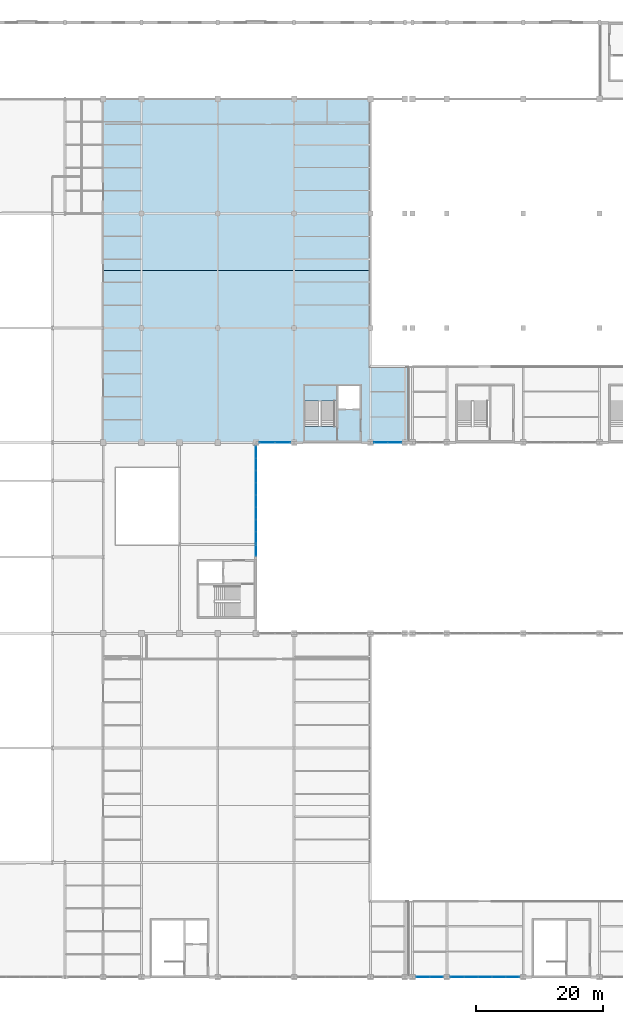
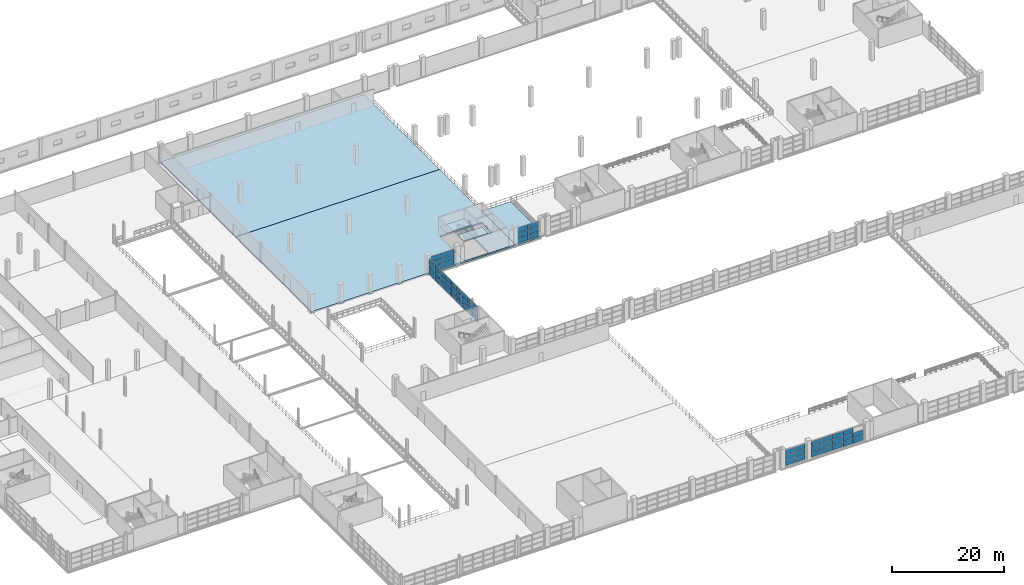
# One storey, part 129 of 158: 59 plates, 5 slabs, 6 elements without a shape of their own.
"""IFC4 building model written with IfcOpenShell, lengths in metres."""

from ifc_helpers import new_model, si_unit, direction, frame, origin, origin_2d, place, context, subcontext, project, spatial, polyline, rectangle, outline, extrude, material, layer, layer_set, type_object, element, aggregate, save


model = new_model("IFC4")

# Units and contexts
model_context = context("Model", 3, precision=1e-05, world=origin(), true_north=direction((0.0, 1.0)))
body_context = subcontext(model_context, "Body", "Model", "MODEL_VIEW")
ifc_project = project(units=[si_unit("LENGTHUNIT", "METRE"), si_unit("AREAUNIT", "SQUARE_METRE"), si_unit("VOLUMEUNIT", "CUBIC_METRE"), si_unit("PLANEANGLEUNIT", "RADIAN"), si_unit("MASSUNIT", "GRAM", prefix="KILO")], contexts=[model_context])

# Site, building, storey
site_placement = place(None, origin())
site = spatial("IfcSite", under=ifc_project, at=site_placement, CompositionType="ELEMENT")
building_placement = place(site_placement, origin())
building = spatial("IfcBuilding", under=site, at=building_placement, Name="Zilviju Railside Exhibition Hall", CompositionType="ELEMENT")
storey_placement = place(building_placement, frame((0.0, 0.0, 4.199951171875)))
storey = spatial("IfcBuildingStorey", under=building, at=storey_placement, Name="L02", CompositionType="ELEMENT", Elevation=4.199951171875)

# Curtain wall, plates
ifc_material_1 = material(Name="Thermally broken aluminium-steel triple-glazed curtain wall", Category="steel")
ifc_layer_1 = layer(ifc_material_1, 0.179931640625)
ifc_layer_set_1 = layer_set([ifc_layer_1], Name="Thermally broken aluminium-steel triple-glazed curtain wall")
curtain_wall_type_1 = type_object("IfcCurtainWallType", Name="CW-BAY-06", PredefinedType="USERDEFINED", material=ifc_layer_set_1)
curtain_wall_1_placement = place(storey_placement, origin())
curtain_wall_1 = element("IfcCurtainWall", 1, at=curtain_wall_1_placement, inside=storey, type_object=curtain_wall_type_1, Name="North Hall Garden Court Curtain Wall L02 (120..125)", ObjectType="GLAZED CURTAIN WALL", PredefinedType="USERDEFINED")
ifc_material_2 = material(Name="Triple-glazed low-E argon insulating glass unit", Category="glass")
ifc_layer_2 = layer(ifc_material_2, 0.0439453125)
ifc_layer_set_2 = layer_set([ifc_layer_2], Name="Triple-glazed low-E argon insulating glass unit")
plate_type_1 = type_object("IfcPlateType", Name="CWP-IGU-44", PredefinedType="CURTAIN_PANEL", material=ifc_layer_set_2)
plate_1_placement = place(storey_placement, frame((123.76123046875, 84.0, 0.05517578125), z_axis=(0.0, 0.0, 1.0), x_axis=(-1.0, 0.0, 0.0)))
plate_1 = element("IfcPlate", 2, at=plate_1_placement, type_object=plate_type_1, Name="CW-06 panel 1.1", PredefinedType="CURTAIN_PANEL", context=body_context, shape_type="SweptSolid", body=[
    extrude(rectangle(XDim=2.0673828125, YDim=0.0439453125, at=origin_2d()), origin(), (0.0, 0.0, 1.0), 1.0673828125),
])
plate_2_placement = place(storey_placement, frame((123.76123046875, 84.0, 1.177734375), z_axis=(0.0, 0.0, 1.0), x_axis=(-1.0, 0.0, 0.0)))
plate_2 = element("IfcPlate", 3, at=plate_2_placement, type_object=plate_type_1, Name="CW-06 panel 1.2", PredefinedType="CURTAIN_PANEL", context=body_context, shape_type="SweptSolid", body=[
    extrude(rectangle(XDim=2.0673828125, YDim=0.0439453125, at=origin_2d()), origin(), (0.0, 0.0, 1.0), 1.094970703125),
])
plate_3_placement = place(storey_placement, frame((123.76123046875, 84.0, 2.32763671875), z_axis=(0.0, 0.0, 1.0), x_axis=(-1.0, 0.0, 0.0)))
plate_3 = element("IfcPlate", 4, at=plate_3_placement, type_object=plate_type_1, Name="CW-06 panel 1.3", PredefinedType="CURTAIN_PANEL", context=body_context, shape_type="SweptSolid", body=[
    extrude(rectangle(XDim=2.0673828125, YDim=0.0439453125, at=origin_2d()), origin(), (0.0, 0.0, 1.0), 1.0673828125),
])
plate_4_placement = place(storey_placement, frame((121.638671875, 84.0, 0.05517578125), z_axis=(0.0, 0.0, 1.0), x_axis=(-1.0, 0.0, 0.0)))
plate_4 = element("IfcPlate", 5, at=plate_4_placement, type_object=plate_type_1, Name="CW-06 panel 2.1", PredefinedType="CURTAIN_PANEL", context=body_context, shape_type="SweptSolid", body=[
    extrude(rectangle(XDim=2.0673828125, YDim=0.0439453125, at=origin_2d()), origin(), (0.0, 0.0, 1.0), 1.0673828125),
])
plate_5_placement = place(storey_placement, frame((121.638671875, 84.0, 1.177734375), z_axis=(0.0, 0.0, 1.0), x_axis=(-1.0, 0.0, 0.0)))
plate_5 = element("IfcPlate", 6, at=plate_5_placement, type_object=plate_type_1, Name="CW-06 panel 2.2", PredefinedType="CURTAIN_PANEL", context=body_context, shape_type="SweptSolid", body=[
    extrude(rectangle(XDim=2.0673828125, YDim=0.0439453125, at=origin_2d()), origin(), (0.0, 0.0, 1.0), 1.094970703125),
])
plate_6_placement = place(storey_placement, frame((121.638671875, 84.0, 2.32763671875), z_axis=(0.0, 0.0, 1.0), x_axis=(-1.0, 0.0, 0.0)))
plate_6 = element("IfcPlate", 7, at=plate_6_placement, type_object=plate_type_1, Name="CW-06 panel 2.3", PredefinedType="CURTAIN_PANEL", context=body_context, shape_type="SweptSolid", body=[
    extrude(rectangle(XDim=2.0673828125, YDim=0.0439453125, at=origin_2d()), origin(), (0.0, 0.0, 1.0), 1.0673828125),
])
aggregate(curtain_wall_1, [plate_1, plate_2, plate_3, plate_4, plate_5, plate_6])

ifc_layer_3 = layer(ifc_material_1, 0.179931640625)
ifc_layer_set_3 = layer_set([ifc_layer_3], Name="Thermally broken aluminium-steel triple-glazed curtain wall")
curtain_wall_type_2 = type_object("IfcCurtainWallType", Name="CW-BAY-10", PredefinedType="USERDEFINED", material=ifc_layer_set_3)
curtain_wall_2_placement = place(storey_placement, origin())
curtain_wall_2 = element("IfcCurtainWall", 8, at=curtain_wall_2_placement, inside=storey, type_object=curtain_wall_type_2, Name="South Hall Facade Curtain Wall L02 (127..132)", ObjectType="GLAZED CURTAIN WALL", PredefinedType="USERDEFINED")
ifc_material_3 = material(Name="Insulated cobalt-blue enamelled spandrel glass panel", Category="glass")
ifc_layer_4 = layer(ifc_material_3, 0.052001953125)
ifc_layer_set_4 = layer_set([ifc_layer_4], Name="Insulated cobalt-blue enamelled spandrel glass panel")
plate_type_2 = type_object("IfcPlateType", Name="CWP-SPD-52", PredefinedType="CURTAIN_PANEL", material=ifc_layer_set_4)
plate_7_placement = place(storey_placement, frame((130.35498046875, 0.0, 0.080078125), z_axis=(0.0, 0.0, 1.0), x_axis=(-1.0, 0.0, 0.0)))
plate_7 = element("IfcPlate", 9, at=plate_7_placement, type_object=plate_type_2, Name="CW-10 panel 1.1", PredefinedType="CURTAIN_PANEL", context=body_context, shape_type="SweptSolid", body=[
    extrude(rectangle(XDim=2.030029296875, YDim=0.052001953125, at=origin_2d()), origin(), (0.0, 0.0, 1.0), 1.06689453125),
])
plate_8_placement = place(storey_placement, frame((130.35498046875, 0.0, 1.22705078125), z_axis=(0.0, 0.0, 1.0), x_axis=(-1.0, 0.0, 0.0)))
plate_8 = element("IfcPlate", 10, at=plate_8_placement, type_object=plate_type_2, Name="CW-10 panel 1.2", PredefinedType="CURTAIN_PANEL", context=body_context, shape_type="SweptSolid", body=[
    extrude(rectangle(XDim=2.030029296875, YDim=0.052001953125, at=origin_2d()), origin(), (0.0, 0.0, 1.0), 1.10595703125),
])
plate_9_placement = place(storey_placement, frame((130.35498046875, 0.0, 2.4130859375), z_axis=(0.0, 0.0, 1.0), x_axis=(-1.0, 0.0, 0.0)))
plate_9 = element("IfcPlate", 11, at=plate_9_placement, type_object=plate_type_2, Name="CW-10 panel 1.3", PredefinedType="CURTAIN_PANEL", context=body_context, shape_type="SweptSolid", body=[
    extrude(rectangle(XDim=2.030029296875, YDim=0.052001953125, at=origin_2d()), origin(), (0.0, 0.0, 1.0), 1.06689453125),
])
plate_10_placement = place(storey_placement, frame((128.2451171875, 0.0, 0.080078125), z_axis=(0.0, 0.0, 1.0), x_axis=(-1.0, 0.0, 0.0)))
plate_10 = element("IfcPlate", 12, at=plate_10_placement, type_object=plate_type_2, Name="CW-10 panel 2.1", PredefinedType="CURTAIN_PANEL", context=body_context, shape_type="SweptSolid", body=[
    extrude(rectangle(XDim=2.030029296875, YDim=0.052001953125, at=origin_2d()), origin(), (0.0, 0.0, 1.0), 1.06689453125),
])
plate_11_placement = place(storey_placement, frame((128.2451171875, 0.0, 1.22705078125), z_axis=(0.0, 0.0, 1.0), x_axis=(-1.0, 0.0, 0.0)))
plate_11 = element("IfcPlate", 13, at=plate_11_placement, type_object=plate_type_2, Name="CW-10 panel 2.2", PredefinedType="CURTAIN_PANEL", context=body_context, shape_type="SweptSolid", body=[
    extrude(rectangle(XDim=2.030029296875, YDim=0.052001953125, at=origin_2d()), origin(), (0.0, 0.0, 1.0), 1.10595703125),
])
plate_12_placement = place(storey_placement, frame((128.2451171875, 0.0, 2.4130859375), z_axis=(0.0, 0.0, 1.0), x_axis=(-1.0, 0.0, 0.0)))
plate_12 = element("IfcPlate", 14, at=plate_12_placement, type_object=plate_type_2, Name="CW-10 panel 2.3", PredefinedType="CURTAIN_PANEL", context=body_context, shape_type="SweptSolid", body=[
    extrude(rectangle(XDim=2.030029296875, YDim=0.052001953125, at=origin_2d()), origin(), (0.0, 0.0, 1.0), 1.06689453125),
])
aggregate(curtain_wall_2, [plate_7, plate_8, plate_9, plate_10, plate_11, plate_12])

ifc_layer_5 = layer(ifc_material_1, 0.179931640625)
ifc_layer_set_5 = layer_set([ifc_layer_5], Name="Thermally broken aluminium-steel triple-glazed curtain wall")
curtain_wall_type_3 = type_object("IfcCurtainWallType", Name="CW-BAY-11", PredefinedType="USERDEFINED", material=ifc_layer_set_5)
curtain_wall_3_placement = place(storey_placement, origin())
curtain_wall_3 = element("IfcCurtainWall", 15, at=curtain_wall_3_placement, inside=storey, type_object=curtain_wall_type_3, Name="South Hall Facade Curtain Wall L02 (132..144)", ObjectType="GLAZED CURTAIN WALL", PredefinedType="USERDEFINED")
ifc_material_4 = material(Name="Insulated emerald ceramic-frit spandrel panel", Category="glass")
ifc_layer_6 = layer(ifc_material_4, 0.06396484375)
ifc_layer_set_6 = layer_set([ifc_layer_6], Name="Insulated emerald ceramic-frit spandrel panel")
plate_type_3 = type_object("IfcPlateType", Name="CWP-SPD-64", PredefinedType="CURTAIN_PANEL", material=ifc_layer_set_6)
plate_13_placement = place(storey_placement, frame((142.34130859375, 0.0, 0.0751953125), z_axis=(0.0, 0.0, 1.0), x_axis=(-1.0, 0.0, 0.0)))
plate_13 = element("IfcPlate", 16, at=plate_13_placement, type_object=plate_type_3, Name="CW-11 panel 1.1", PredefinedType="CURTAIN_PANEL", context=body_context, shape_type="SweptSolid", body=[
    extrude(rectangle(XDim=2.0673828125, YDim=0.06396484375, at=origin_2d()), origin(), (0.0, 0.0, 1.0), 1.074462890625),
])
plate_14_placement = place(storey_placement, frame((142.34130859375, 0.0, 1.224609375), z_axis=(0.0, 0.0, 1.0), x_axis=(-1.0, 0.0, 0.0)))
plate_14 = element("IfcPlate", 17, at=plate_14_placement, type_object=plate_type_3, Name="CW-11 panel 1.2", PredefinedType="CURTAIN_PANEL", context=body_context, shape_type="SweptSolid", body=[
    extrude(rectangle(XDim=2.0673828125, YDim=0.06396484375, at=origin_2d()), origin(), (0.0, 0.0, 1.0), 1.111083984375),
])
plate_15_placement = place(storey_placement, frame((140.179931640625, 0.0, 0.0751953125), z_axis=(0.0, 0.0, 1.0), x_axis=(-1.0, 0.0, 0.0)))
plate_15 = element("IfcPlate", 18, at=plate_15_placement, type_object=plate_type_3, Name="CW-11 panel 2.1", PredefinedType="CURTAIN_PANEL", context=body_context, shape_type="SweptSolid", body=[
    extrude(rectangle(XDim=2.10498046875, YDim=0.06396484375, at=origin_2d()), origin(), (0.0, 0.0, 1.0), 1.074462890625),
])
plate_16_placement = place(storey_placement, frame((140.179931640625, 0.0, 1.224609375), z_axis=(0.0, 0.0, 1.0), x_axis=(-1.0, 0.0, 0.0)))
plate_16 = element("IfcPlate", 19, at=plate_16_placement, type_object=plate_type_3, Name="CW-11 panel 2.2", PredefinedType="CURTAIN_PANEL", context=body_context, shape_type="SweptSolid", body=[
    extrude(rectangle(XDim=2.10498046875, YDim=0.06396484375, at=origin_2d()), origin(), (0.0, 0.0, 1.0), 1.111083984375),
])
plate_17_placement = place(storey_placement, frame((140.179931640625, 0.0, 2.41064453125), z_axis=(0.0, 0.0, 1.0), x_axis=(-1.0, 0.0, 0.0)))
plate_17 = element("IfcPlate", 20, at=plate_17_placement, type_object=plate_type_3, Name="CW-11 panel 2.3", PredefinedType="CURTAIN_PANEL", context=body_context, shape_type="SweptSolid", body=[
    extrude(rectangle(XDim=2.10498046875, YDim=0.06396484375, at=origin_2d()), origin(), (0.0, 0.0, 1.0), 1.074462890625),
])
plate_18_placement = place(storey_placement, frame((138.0, 0.0, 0.0751953125), z_axis=(0.0, 0.0, 1.0), x_axis=(-1.0, 0.0, 0.0)))
plate_18 = element("IfcPlate", 21, at=plate_18_placement, type_object=plate_type_3, Name="CW-11 panel 3.1", PredefinedType="CURTAIN_PANEL", context=body_context, shape_type="SweptSolid", body=[
    extrude(rectangle(XDim=2.10498046875, YDim=0.06396484375, at=origin_2d()), origin(), (0.0, 0.0, 1.0), 1.074462890625),
])
plate_19_placement = place(storey_placement, frame((138.0, 0.0, 1.224609375), z_axis=(0.0, 0.0, 1.0), x_axis=(-1.0, 0.0, 0.0)))
plate_19 = element("IfcPlate", 22, at=plate_19_placement, type_object=plate_type_3, Name="CW-11 panel 3.2", PredefinedType="CURTAIN_PANEL", context=body_context, shape_type="SweptSolid", body=[
    extrude(rectangle(XDim=2.10498046875, YDim=0.06396484375, at=origin_2d()), origin(), (0.0, 0.0, 1.0), 1.111083984375),
])
plate_20_placement = place(storey_placement, frame((138.0, 0.0, 2.41064453125), z_axis=(0.0, 0.0, 1.0), x_axis=(-1.0, 0.0, 0.0)))
plate_20 = element("IfcPlate", 23, at=plate_20_placement, type_object=plate_type_3, Name="CW-11 panel 3.3", PredefinedType="CURTAIN_PANEL", context=body_context, shape_type="SweptSolid", body=[
    extrude(rectangle(XDim=2.10498046875, YDim=0.06396484375, at=origin_2d()), origin(), (0.0, 0.0, 1.0), 1.074462890625),
])
plate_21_placement = place(storey_placement, frame((135.820068359375, 0.0, 0.0751953125), z_axis=(0.0, 0.0, 1.0), x_axis=(-1.0, 0.0, 0.0)))
plate_21 = element("IfcPlate", 24, at=plate_21_placement, type_object=plate_type_3, Name="CW-11 panel 4.1", PredefinedType="CURTAIN_PANEL", context=body_context, shape_type="SweptSolid", body=[
    extrude(rectangle(XDim=2.10498046875, YDim=0.06396484375, at=origin_2d()), origin(), (0.0, 0.0, 1.0), 1.074462890625),
])
plate_22_placement = place(storey_placement, frame((135.820068359375, 0.0, 1.224609375), z_axis=(0.0, 0.0, 1.0), x_axis=(-1.0, 0.0, 0.0)))
plate_22 = element("IfcPlate", 25, at=plate_22_placement, type_object=plate_type_3, Name="CW-11 panel 4.2", PredefinedType="CURTAIN_PANEL", context=body_context, shape_type="SweptSolid", body=[
    extrude(rectangle(XDim=2.10498046875, YDim=0.06396484375, at=origin_2d()), origin(), (0.0, 0.0, 1.0), 1.111083984375),
])
plate_23_placement = place(storey_placement, frame((135.820068359375, 0.0, 2.41064453125), z_axis=(0.0, 0.0, 1.0), x_axis=(-1.0, 0.0, 0.0)))
plate_23 = element("IfcPlate", 26, at=plate_23_placement, type_object=plate_type_3, Name="CW-11 panel 4.3", PredefinedType="CURTAIN_PANEL", context=body_context, shape_type="SweptSolid", body=[
    extrude(rectangle(XDim=2.10498046875, YDim=0.06396484375, at=origin_2d()), origin(), (0.0, 0.0, 1.0), 1.074462890625),
])
plate_24_placement = place(storey_placement, frame((133.65869140625, 0.0, 0.0751953125), z_axis=(0.0, 0.0, 1.0), x_axis=(-1.0, 0.0, 0.0)))
plate_24 = element("IfcPlate", 27, at=plate_24_placement, type_object=plate_type_3, Name="CW-11 panel 5.1", PredefinedType="CURTAIN_PANEL", context=body_context, shape_type="SweptSolid", body=[
    extrude(rectangle(XDim=2.0673828125, YDim=0.06396484375, at=origin_2d()), origin(), (0.0, 0.0, 1.0), 1.074462890625),
])
plate_25_placement = place(storey_placement, frame((133.65869140625, 0.0, 1.224609375), z_axis=(0.0, 0.0, 1.0), x_axis=(-1.0, 0.0, 0.0)))
plate_25 = element("IfcPlate", 28, at=plate_25_placement, type_object=plate_type_3, Name="CW-11 panel 5.2", PredefinedType="CURTAIN_PANEL", context=body_context, shape_type="SweptSolid", body=[
    extrude(rectangle(XDim=2.0673828125, YDim=0.06396484375, at=origin_2d()), origin(), (0.0, 0.0, 1.0), 1.111083984375),
])
plate_26_placement = place(storey_placement, frame((133.65869140625, 0.0, 2.41064453125), z_axis=(0.0, 0.0, 1.0), x_axis=(-1.0, 0.0, 0.0)))
plate_26 = element("IfcPlate", 29, at=plate_26_placement, type_object=plate_type_3, Name="CW-11 panel 5.3", PredefinedType="CURTAIN_PANEL", context=body_context, shape_type="SweptSolid", body=[
    extrude(rectangle(XDim=2.0673828125, YDim=0.06396484375, at=origin_2d()), origin(), (0.0, 0.0, 1.0), 1.074462890625),
])
aggregate(curtain_wall_3, [plate_13, plate_14, plate_15, plate_16, plate_17, plate_18, plate_19, plate_20, plate_21, plate_22, plate_23, plate_24, plate_25, plate_26])

ifc_layer_7 = layer(ifc_material_1, 0.179931640625)
ifc_layer_set_7 = layer_set([ifc_layer_7], Name="Thermally broken aluminium-steel triple-glazed curtain wall")
curtain_wall_type_4 = type_object("IfcCurtainWallType", Name="CW-BAY-05", PredefinedType="USERDEFINED", material=ifc_layer_set_7)
curtain_wall_4_placement = place(storey_placement, origin())
curtain_wall_4 = element("IfcCurtainWall", 30, at=curtain_wall_4_placement, inside=storey, type_object=curtain_wall_type_4, Name="North Hall Garden Court Curtain Wall L02 (102..108)", ObjectType="GLAZED CURTAIN WALL", PredefinedType="USERDEFINED")
plate_27_placement = place(storey_placement, frame((106.206298828125, 84.0, 0.074951171875), z_axis=(0.0, 0.0, 1.0), x_axis=(-1.0, 0.0, 0.0)))
plate_27 = element("IfcPlate", 31, at=plate_27_placement, type_object=plate_type_3, Name="CW-05 panel 1.1", PredefinedType="CURTAIN_PANEL", context=body_context, shape_type="SweptSolid", body=[
    extrude(rectangle(XDim=2.33740234375, YDim=0.06396484375, at=origin_2d()), origin(), (0.0, 0.0, 1.0), 1.03759765625),
])
plate_28_placement = place(storey_placement, frame((106.206298828125, 84.0, 1.1875), z_axis=(0.0, 0.0, 1.0), x_axis=(-1.0, 0.0, 0.0)))
plate_28 = element("IfcPlate", 32, at=plate_28_placement, type_object=plate_type_3, Name="CW-05 panel 1.2", PredefinedType="CURTAIN_PANEL", context=body_context, shape_type="SweptSolid", body=[
    extrude(rectangle(XDim=2.33740234375, YDim=0.06396484375, at=origin_2d()), origin(), (0.0, 0.0, 1.0), 1.074951171875),
])
plate_29_placement = place(storey_placement, frame((106.206298828125, 84.0, 2.33740234375), z_axis=(0.0, 0.0, 1.0), x_axis=(-1.0, 0.0, 0.0)))
plate_29 = element("IfcPlate", 33, at=plate_29_placement, type_object=plate_type_3, Name="CW-05 panel 1.3", PredefinedType="CURTAIN_PANEL", context=body_context, shape_type="SweptSolid", body=[
    extrude(rectangle(XDim=2.33740234375, YDim=0.06396484375, at=origin_2d()), origin(), (0.0, 0.0, 1.0), 1.03759765625),
])
plate_30_placement = place(storey_placement, frame((103.793701171875, 84.0, 0.074951171875), z_axis=(0.0, 0.0, 1.0), x_axis=(-1.0, 0.0, 0.0)))
plate_30 = element("IfcPlate", 34, at=plate_30_placement, type_object=plate_type_3, Name="CW-05 panel 2.1", PredefinedType="CURTAIN_PANEL", context=body_context, shape_type="SweptSolid", body=[
    extrude(rectangle(XDim=2.33740234375, YDim=0.06396484375, at=origin_2d()), origin(), (0.0, 0.0, 1.0), 1.03759765625),
])
plate_31_placement = place(storey_placement, frame((103.793701171875, 84.0, 1.1875), z_axis=(0.0, 0.0, 1.0), x_axis=(-1.0, 0.0, 0.0)))
plate_31 = element("IfcPlate", 35, at=plate_31_placement, type_object=plate_type_3, Name="CW-05 panel 2.2", PredefinedType="CURTAIN_PANEL", context=body_context, shape_type="SweptSolid", body=[
    extrude(rectangle(XDim=2.33740234375, YDim=0.06396484375, at=origin_2d()), origin(), (0.0, 0.0, 1.0), 1.074951171875),
])
plate_32_placement = place(storey_placement, frame((103.793701171875, 84.0, 2.33740234375), z_axis=(0.0, 0.0, 1.0), x_axis=(-1.0, 0.0, 0.0)))
plate_32 = element("IfcPlate", 36, at=plate_32_placement, type_object=plate_type_3, Name="CW-05 panel 2.3", PredefinedType="CURTAIN_PANEL", context=body_context, shape_type="SweptSolid", body=[
    extrude(rectangle(XDim=2.33740234375, YDim=0.06396484375, at=origin_2d()), origin(), (0.0, 0.0, 1.0), 1.03759765625),
])
aggregate(curtain_wall_4, [plate_27, plate_28, plate_29, plate_30, plate_31, plate_32])

ifc_layer_8 = layer(ifc_material_1, 0.179931640625)
ifc_layer_set_8 = layer_set([ifc_layer_8], Name="Thermally broken aluminium-steel triple-glazed curtain wall")
curtain_wall_type_5 = type_object("IfcCurtainWallType", Name="CW-BAY-15", PredefinedType="USERDEFINED", material=ifc_layer_set_8)
curtain_wall_5_placement = place(storey_placement, origin())
curtain_wall_5 = element("IfcCurtainWall", 37, at=curtain_wall_5_placement, inside=storey, type_object=curtain_wall_type_5, Name="Water Court Pavilion Curtain Wall L02", ObjectType="GLAZED CURTAIN WALL", PredefinedType="USERDEFINED")
plate_33_placement = place(storey_placement, frame((102.0, 82.47021484375, 0.0751953125), z_axis=(0.0, 0.0, 1.0), x_axis=(0.0, -1.0, 0.0)))
plate_33 = element("IfcPlate", 38, at=plate_33_placement, type_object=plate_type_3, Name="CW-15 panel 1.1", PredefinedType="CURTAIN_PANEL", context=body_context, shape_type="SweptSolid", body=[
    extrude(rectangle(XDim=1.809814453125, YDim=0.06396484375, at=origin_2d()), origin(), (0.0, 0.0, 1.0), 1.070556640625),
])
plate_34_placement = place(storey_placement, frame((102.0, 82.47021484375, 1.220703125), z_axis=(0.0, 0.0, 1.0), x_axis=(0.0, -1.0, 0.0)))
plate_34 = element("IfcPlate", 39, at=plate_34_placement, type_object=plate_type_3, Name="CW-15 panel 1.2", PredefinedType="CURTAIN_PANEL", context=body_context, shape_type="SweptSolid", body=[
    extrude(rectangle(XDim=1.809814453125, YDim=0.06396484375, at=origin_2d()), origin(), (0.0, 0.0, 1.0), 1.10888671875),
])
plate_35_placement = place(storey_placement, frame((102.0, 82.47021484375, 2.404296875), z_axis=(0.0, 0.0, 1.0), x_axis=(0.0, -1.0, 0.0)))
plate_35 = element("IfcPlate", 40, at=plate_35_placement, type_object=plate_type_3, Name="CW-15 panel 1.3", PredefinedType="CURTAIN_PANEL", context=body_context, shape_type="SweptSolid", body=[
    extrude(rectangle(XDim=1.809814453125, YDim=0.06396484375, at=origin_2d()), origin(), (0.0, 0.0, 1.0), 1.070556640625),
])
plate_36_placement = place(storey_placement, frame((102.0, 80.566650390625, 0.0751953125), z_axis=(0.0, 0.0, 1.0), x_axis=(0.0, -1.0, 0.0)))
plate_36 = element("IfcPlate", 41, at=plate_36_placement, type_object=plate_type_3, Name="CW-15 panel 2.1", PredefinedType="CURTAIN_PANEL", context=body_context, shape_type="SweptSolid", body=[
    extrude(rectangle(XDim=1.84716796875, YDim=0.06396484375, at=origin_2d()), origin(), (0.0, 0.0, 1.0), 1.070556640625),
])
plate_37_placement = place(storey_placement, frame((102.0, 80.566650390625, 1.220703125), z_axis=(0.0, 0.0, 1.0), x_axis=(0.0, -1.0, 0.0)))
plate_37 = element("IfcPlate", 42, at=plate_37_placement, type_object=plate_type_3, Name="CW-15 panel 2.2", PredefinedType="CURTAIN_PANEL", context=body_context, shape_type="SweptSolid", body=[
    extrude(rectangle(XDim=1.84716796875, YDim=0.06396484375, at=origin_2d()), origin(), (0.0, 0.0, 1.0), 1.10888671875),
])
plate_38_placement = place(storey_placement, frame((102.0, 80.566650390625, 2.404296875), z_axis=(0.0, 0.0, 1.0), x_axis=(0.0, -1.0, 0.0)))
plate_38 = element("IfcPlate", 43, at=plate_38_placement, type_object=plate_type_3, Name="CW-15 panel 2.3", PredefinedType="CURTAIN_PANEL", context=body_context, shape_type="SweptSolid", body=[
    extrude(rectangle(XDim=1.84716796875, YDim=0.06396484375, at=origin_2d()), origin(), (0.0, 0.0, 1.0), 1.070556640625),
])
plate_39_placement = place(storey_placement, frame((102.0, 78.64453125, 0.0751953125), z_axis=(0.0, 0.0, 1.0), x_axis=(0.0, -1.0, 0.0)))
plate_39 = element("IfcPlate", 44, at=plate_39_placement, type_object=plate_type_3, Name="CW-15 panel 3.1", PredefinedType="CURTAIN_PANEL", context=body_context, shape_type="SweptSolid", body=[
    extrude(rectangle(XDim=1.84716796875, YDim=0.06396484375, at=origin_2d()), origin(), (0.0, 0.0, 1.0), 1.070556640625),
])
plate_40_placement = place(storey_placement, frame((102.0, 78.64453125, 1.220703125), z_axis=(0.0, 0.0, 1.0), x_axis=(0.0, -1.0, 0.0)))
plate_40 = element("IfcPlate", 45, at=plate_40_placement, type_object=plate_type_3, Name="CW-15 panel 3.2", PredefinedType="CURTAIN_PANEL", context=body_context, shape_type="SweptSolid", body=[
    extrude(rectangle(XDim=1.84716796875, YDim=0.06396484375, at=origin_2d()), origin(), (0.0, 0.0, 1.0), 1.10888671875),
])
plate_41_placement = place(storey_placement, frame((102.0, 78.64453125, 2.404296875), z_axis=(0.0, 0.0, 1.0), x_axis=(0.0, -1.0, 0.0)))
plate_41 = element("IfcPlate", 46, at=plate_41_placement, type_object=plate_type_3, Name="CW-15 panel 3.3", PredefinedType="CURTAIN_PANEL", context=body_context, shape_type="SweptSolid", body=[
    extrude(rectangle(XDim=1.84716796875, YDim=0.06396484375, at=origin_2d()), origin(), (0.0, 0.0, 1.0), 1.070556640625),
])
plate_42_placement = place(storey_placement, frame((102.0, 76.72216796875, 0.0751953125), z_axis=(0.0, 0.0, 1.0), x_axis=(0.0, -1.0, 0.0)))
plate_42 = element("IfcPlate", 47, at=plate_42_placement, type_object=plate_type_3, Name="CW-15 panel 4.1", PredefinedType="CURTAIN_PANEL", context=body_context, shape_type="SweptSolid", body=[
    extrude(rectangle(XDim=1.84716796875, YDim=0.06396484375, at=origin_2d()), origin(), (0.0, 0.0, 1.0), 1.070556640625),
])
plate_43_placement = place(storey_placement, frame((102.0, 76.72216796875, 1.220703125), z_axis=(0.0, 0.0, 1.0), x_axis=(0.0, -1.0, 0.0)))
plate_43 = element("IfcPlate", 48, at=plate_43_placement, type_object=plate_type_3, Name="CW-15 panel 4.2", PredefinedType="CURTAIN_PANEL", context=body_context, shape_type="SweptSolid", body=[
    extrude(rectangle(XDim=1.84716796875, YDim=0.06396484375, at=origin_2d()), origin(), (0.0, 0.0, 1.0), 1.10888671875),
])
plate_44_placement = place(storey_placement, frame((102.0, 76.72216796875, 2.404296875), z_axis=(0.0, 0.0, 1.0), x_axis=(0.0, -1.0, 0.0)))
plate_44 = element("IfcPlate", 49, at=plate_44_placement, type_object=plate_type_3, Name="CW-15 panel 4.3", PredefinedType="CURTAIN_PANEL", context=body_context, shape_type="SweptSolid", body=[
    extrude(rectangle(XDim=1.84716796875, YDim=0.06396484375, at=origin_2d()), origin(), (0.0, 0.0, 1.0), 1.070556640625),
])
plate_45_placement = place(storey_placement, frame((102.0, 74.800048828125, 0.0751953125), z_axis=(0.0, 0.0, 1.0), x_axis=(0.0, -1.0, 0.0)))
plate_45 = element("IfcPlate", 50, at=plate_45_placement, type_object=plate_type_3, Name="CW-15 panel 5.1", PredefinedType="CURTAIN_PANEL", context=body_context, shape_type="SweptSolid", body=[
    extrude(rectangle(XDim=1.84716796875, YDim=0.06396484375, at=origin_2d()), origin(), (0.0, 0.0, 1.0), 1.070556640625),
])
plate_46_placement = place(storey_placement, frame((102.0, 74.800048828125, 1.220703125), z_axis=(0.0, 0.0, 1.0), x_axis=(0.0, -1.0, 0.0)))
plate_46 = element("IfcPlate", 51, at=plate_46_placement, type_object=plate_type_3, Name="CW-15 panel 5.2", PredefinedType="CURTAIN_PANEL", context=body_context, shape_type="SweptSolid", body=[
    extrude(rectangle(XDim=1.84716796875, YDim=0.06396484375, at=origin_2d()), origin(), (0.0, 0.0, 1.0), 1.10888671875),
])
plate_47_placement = place(storey_placement, frame((102.0, 74.800048828125, 2.404296875), z_axis=(0.0, 0.0, 1.0), x_axis=(0.0, -1.0, 0.0)))
plate_47 = element("IfcPlate", 52, at=plate_47_placement, type_object=plate_type_3, Name="CW-15 panel 5.3", PredefinedType="CURTAIN_PANEL", context=body_context, shape_type="SweptSolid", body=[
    extrude(rectangle(XDim=1.84716796875, YDim=0.06396484375, at=origin_2d()), origin(), (0.0, 0.0, 1.0), 1.070556640625),
])
plate_48_placement = place(storey_placement, frame((102.0, 72.877685546875, 0.0751953125), z_axis=(0.0, 0.0, 1.0), x_axis=(0.0, -1.0, 0.0)))
plate_48 = element("IfcPlate", 53, at=plate_48_placement, type_object=plate_type_3, Name="CW-15 panel 6.1", PredefinedType="CURTAIN_PANEL", context=body_context, shape_type="SweptSolid", body=[
    extrude(rectangle(XDim=1.84716796875, YDim=0.06396484375, at=origin_2d()), origin(), (0.0, 0.0, 1.0), 1.070556640625),
])
plate_49_placement = place(storey_placement, frame((102.0, 72.877685546875, 1.220703125), z_axis=(0.0, 0.0, 1.0), x_axis=(0.0, -1.0, 0.0)))
plate_49 = element("IfcPlate", 54, at=plate_49_placement, type_object=plate_type_3, Name="CW-15 panel 6.2", PredefinedType="CURTAIN_PANEL", context=body_context, shape_type="SweptSolid", body=[
    extrude(rectangle(XDim=1.84716796875, YDim=0.06396484375, at=origin_2d()), origin(), (0.0, 0.0, 1.0), 1.10888671875),
])
plate_50_placement = place(storey_placement, frame((102.0, 72.877685546875, 2.404296875), z_axis=(0.0, 0.0, 1.0), x_axis=(0.0, -1.0, 0.0)))
plate_50 = element("IfcPlate", 55, at=plate_50_placement, type_object=plate_type_3, Name="CW-15 panel 6.3", PredefinedType="CURTAIN_PANEL", context=body_context, shape_type="SweptSolid", body=[
    extrude(rectangle(XDim=1.84716796875, YDim=0.06396484375, at=origin_2d()), origin(), (0.0, 0.0, 1.0), 1.070556640625),
])
plate_51_placement = place(storey_placement, frame((102.0, 70.95556640625, 0.0751953125), z_axis=(0.0, 0.0, 1.0), x_axis=(0.0, -1.0, 0.0)))
plate_51 = element("IfcPlate", 56, at=plate_51_placement, type_object=plate_type_3, Name="CW-15 panel 7.1", PredefinedType="CURTAIN_PANEL", context=body_context, shape_type="SweptSolid", body=[
    extrude(rectangle(XDim=1.84716796875, YDim=0.06396484375, at=origin_2d()), origin(), (0.0, 0.0, 1.0), 1.070556640625),
])
plate_52_placement = place(storey_placement, frame((102.0, 70.95556640625, 1.220703125), z_axis=(0.0, 0.0, 1.0), x_axis=(0.0, -1.0, 0.0)))
plate_52 = element("IfcPlate", 57, at=plate_52_placement, type_object=plate_type_3, Name="CW-15 panel 7.2", PredefinedType="CURTAIN_PANEL", context=body_context, shape_type="SweptSolid", body=[
    extrude(rectangle(XDim=1.84716796875, YDim=0.06396484375, at=origin_2d()), origin(), (0.0, 0.0, 1.0), 1.10888671875),
])
plate_53_placement = place(storey_placement, frame((102.0, 70.95556640625, 2.404296875), z_axis=(0.0, 0.0, 1.0), x_axis=(0.0, -1.0, 0.0)))
plate_53 = element("IfcPlate", 58, at=plate_53_placement, type_object=plate_type_3, Name="CW-15 panel 7.3", PredefinedType="CURTAIN_PANEL", context=body_context, shape_type="SweptSolid", body=[
    extrude(rectangle(XDim=1.84716796875, YDim=0.06396484375, at=origin_2d()), origin(), (0.0, 0.0, 1.0), 1.070556640625),
])
plate_54_placement = place(storey_placement, frame((102.0, 69.033447265625, 0.0751953125), z_axis=(0.0, 0.0, 1.0), x_axis=(0.0, -1.0, 0.0)))
plate_54 = element("IfcPlate", 59, at=plate_54_placement, type_object=plate_type_3, Name="CW-15 panel 8.1", PredefinedType="CURTAIN_PANEL", context=body_context, shape_type="SweptSolid", body=[
    extrude(rectangle(XDim=1.84716796875, YDim=0.06396484375, at=origin_2d()), origin(), (0.0, 0.0, 1.0), 1.070556640625),
])
plate_55_placement = place(storey_placement, frame((102.0, 69.033447265625, 1.220703125), z_axis=(0.0, 0.0, 1.0), x_axis=(0.0, -1.0, 0.0)))
plate_55 = element("IfcPlate", 60, at=plate_55_placement, type_object=plate_type_3, Name="CW-15 panel 8.2", PredefinedType="CURTAIN_PANEL", context=body_context, shape_type="SweptSolid", body=[
    extrude(rectangle(XDim=1.84716796875, YDim=0.06396484375, at=origin_2d()), origin(), (0.0, 0.0, 1.0), 1.10888671875),
])
plate_56_placement = place(storey_placement, frame((102.0, 69.033447265625, 2.404296875), z_axis=(0.0, 0.0, 1.0), x_axis=(0.0, -1.0, 0.0)))
plate_56 = element("IfcPlate", 61, at=plate_56_placement, type_object=plate_type_3, Name="CW-15 panel 8.3", PredefinedType="CURTAIN_PANEL", context=body_context, shape_type="SweptSolid", body=[
    extrude(rectangle(XDim=1.84716796875, YDim=0.06396484375, at=origin_2d()), origin(), (0.0, 0.0, 1.0), 1.070556640625),
])
plate_57_placement = place(storey_placement, frame((102.0, 67.1298828125, 0.0751953125), z_axis=(0.0, 0.0, 1.0), x_axis=(0.0, -1.0, 0.0)))
plate_57 = element("IfcPlate", 62, at=plate_57_placement, type_object=plate_type_3, Name="CW-15 panel 9.1", PredefinedType="CURTAIN_PANEL", context=body_context, shape_type="SweptSolid", body=[
    extrude(rectangle(XDim=1.809814453125, YDim=0.06396484375, at=origin_2d()), origin(), (0.0, 0.0, 1.0), 1.070556640625),
])
plate_58_placement = place(storey_placement, frame((102.0, 67.1298828125, 1.220703125), z_axis=(0.0, 0.0, 1.0), x_axis=(0.0, -1.0, 0.0)))
plate_58 = element("IfcPlate", 63, at=plate_58_placement, type_object=plate_type_3, Name="CW-15 panel 9.2", PredefinedType="CURTAIN_PANEL", context=body_context, shape_type="SweptSolid", body=[
    extrude(rectangle(XDim=1.809814453125, YDim=0.06396484375, at=origin_2d()), origin(), (0.0, 0.0, 1.0), 1.10888671875),
])
plate_59_placement = place(storey_placement, frame((102.0, 67.1298828125, 2.404296875), z_axis=(0.0, 0.0, 1.0), x_axis=(0.0, -1.0, 0.0)))
plate_59 = element("IfcPlate", 64, at=plate_59_placement, type_object=plate_type_3, Name="CW-15 panel 9.3", PredefinedType="CURTAIN_PANEL", context=body_context, shape_type="SweptSolid", body=[
    extrude(rectangle(XDim=1.809814453125, YDim=0.06396484375, at=origin_2d()), origin(), (0.0, 0.0, 1.0), 1.070556640625),
])
aggregate(curtain_wall_5, [plate_33, plate_34, plate_35, plate_36, plate_37, plate_38, plate_39, plate_40, plate_41, plate_42, plate_43, plate_44, plate_45, plate_46, plate_47, plate_48, plate_49, plate_50, plate_51, plate_52, plate_53, plate_54, plate_55, plate_56, plate_57, plate_58, plate_59])

# Slabs
ifc_material_5 = material(Name="Concrete C35/45", Category="concrete")
ifc_layer_9 = layer(ifc_material_5, 0.330078125)
ifc_layer_set_9 = layer_set([ifc_layer_9], Name="Concrete C35/45")
slab_type_1 = type_object("IfcSlabType", Name="SL-FLR-330", PredefinedType="FLOOR", material=ifc_layer_set_9)
slab_1_placement = place(storey_placement, frame((0.0, 0.0, -0.329833984375)))
element("IfcSlab", 65, at=slab_1_placement, inside=storey, type_object=slab_type_1, Name="North Hall L02 West Gallery South", PredefinedType="FLOOR", context=body_context, shape_type="SweptSolid", body=[
    extrude(outline(polyline([(78.0, 84.0), (120.0, 84.0), (120.0, 111.0), (78.0, 111.0), (78.0, 84.0)]), holes=[polyline([(109.64990234375, 84.25), (114.64990234375, 84.25), (114.64990234375, 92.949951171875), (109.64990234375, 92.949951171875), (109.64990234375, 84.25)]), polyline([(114.89990234375, 89.300048828125), (118.35009765625, 89.300048828125), (118.35009765625, 92.949951171875), (114.89990234375, 92.949951171875), (114.89990234375, 89.300048828125)])]), origin(), (0.0, 0.0, 1.0), 0.329833984375),
])
slab_2_placement = place(storey_placement, frame((0.0, 0.0, -0.329833984375)))
element("IfcSlab", 66, at=slab_2_placement, inside=storey, type_object=slab_type_1, Name="North Hall L02 West Gallery North", PredefinedType="FLOOR", context=body_context, shape_type="SweptSolid", body=[
    extrude(outline(polyline([(78.0, 111.0), (120.0, 111.0), (120.0, 138.0), (78.0, 138.0), (78.0, 111.0)])), origin(), (0.0, 0.0, 1.0), 0.329833984375),
])
slab_3_placement = place(storey_placement, frame((0.0, 0.0, -0.329833984375)))
element("IfcSlab", 67, at=slab_3_placement, inside=storey, type_object=slab_type_1, Name="North Hall L02 Court Walkway West", PredefinedType="FLOOR", context=body_context, shape_type="SweptSolid", body=[
    extrude(outline(polyline([(120.0, 84.0), (125.969970703125, 84.0), (125.969970703125, 96.0), (120.0, 96.0), (120.0, 84.0)])), origin(), (0.0, 0.0, 1.0), 0.329833984375),
])

# Stair, slabs
stair_type = type_object("IfcStairType", Name="STAIR-ST-A", PredefinedType="HALF_TURN_STAIR", material=ifc_material_5)
stair_placement = place(storey_placement, origin())
stair = element("IfcStair", 68, at=stair_placement, inside=storey, type_object=stair_type, Name="Core C04 North Hall Court West Exit Stair L02", PredefinedType="HALF_TURN_STAIR")
ifc_layer_10 = layer(ifc_material_5, 0.199951171875)
ifc_layer_set_10 = layer_set([ifc_layer_10], Name="Concrete C35/45")
slab_type_2 = type_object("IfcSlabType", Name="SL-LAND-200", PredefinedType="LANDING", material=ifc_layer_set_10)
slab_4_placement = place(storey_placement, frame((0.0, 0.0, 1.900146484375)))
slab_4 = element("IfcSlab", 69, at=slab_4_placement, type_object=slab_type_2, Name="ST-04 landing 1", PredefinedType="LANDING", context=body_context, shape_type="SweptSolid", body=[
    extrude(outline(polyline([(109.64990234375, 90.530029296875), (114.64990234375, 90.530029296875), (114.64990234375, 92.949951171875), (109.64990234375, 92.949951171875), (109.64990234375, 90.530029296875)])), origin(), (0.0, 0.0, 1.0), 0.199951171875),
])
slab_5_placement = place(storey_placement, frame((0.0, 0.0, 4.0)))
slab_5 = element("IfcSlab", 70, at=slab_5_placement, type_object=slab_type_2, Name="ST-04 landing 2", PredefinedType="LANDING", context=body_context, shape_type="SweptSolid", body=[
    extrude(outline(polyline([(109.64990234375, 84.25), (114.64990234375, 84.25), (114.64990234375, 86.5), (109.64990234375, 86.5), (109.64990234375, 84.25)])), origin(), (0.0, 0.0, 1.0), 0.199951171875),
])
aggregate(stair, [slab_4, slab_5])

save(model, "model.ifc")
